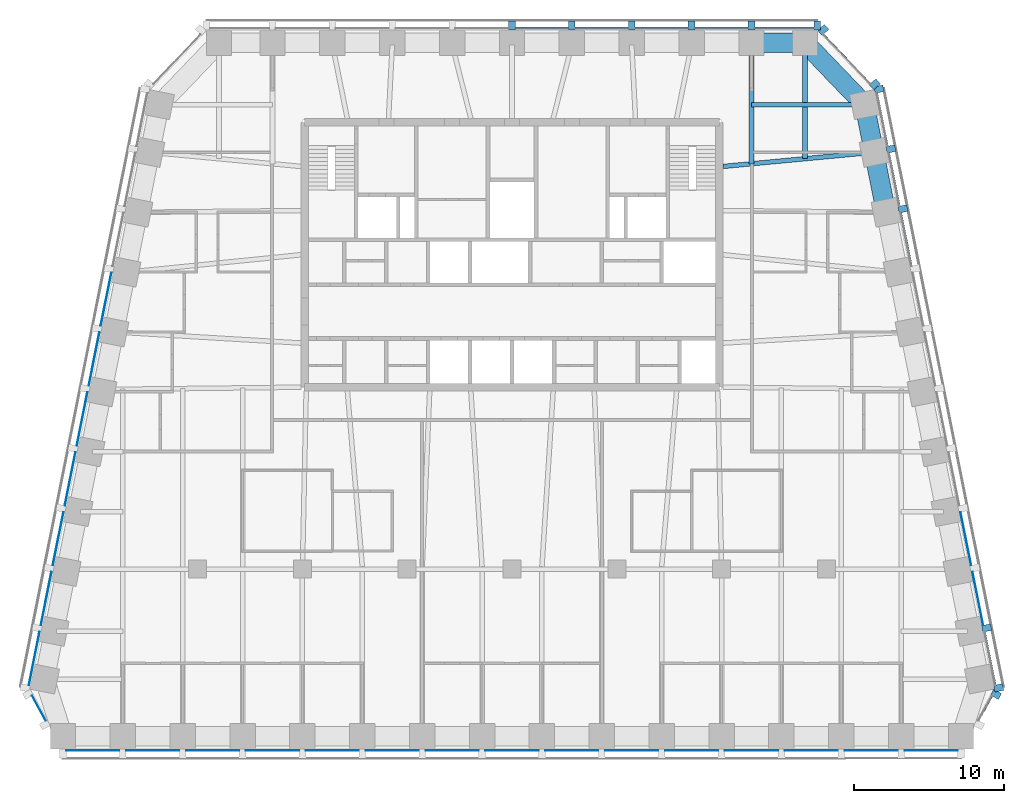
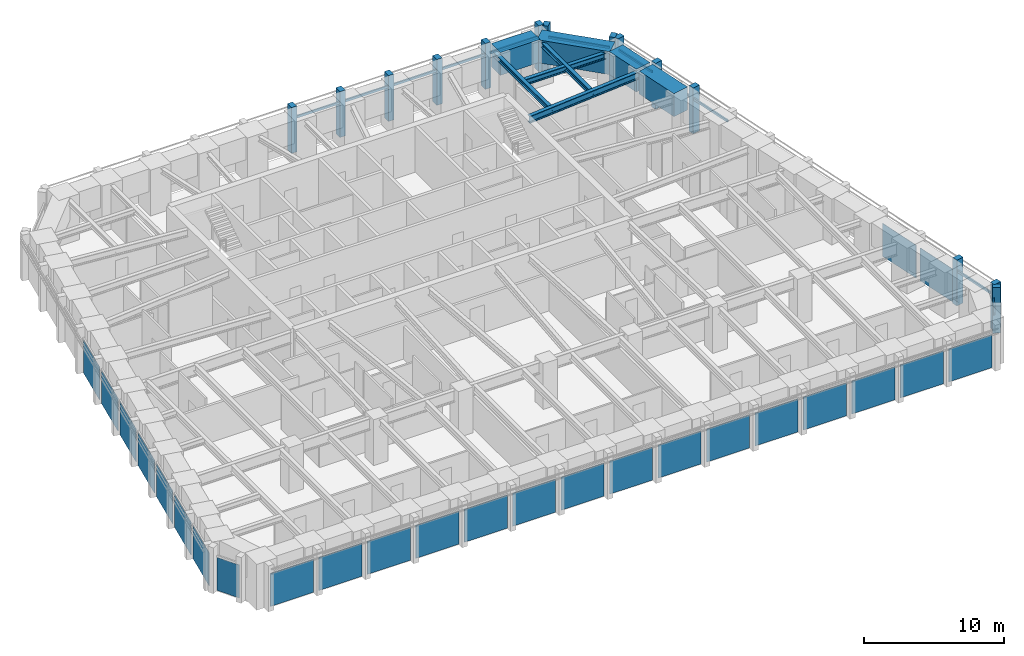
# One storey, part 4 of 11: 25 members, 25 plates, 8 beams, 7 elements without a shape of their own.
"""IFC4 building model written with IfcOpenShell, lengths in metres."""

from ifc_helpers import new_model, si_unit, direction, frame, origin, origin_2d, place, context, subcontext, project, spatial, rectangle, i_section, extrude, material, layer, layer_set, material_profile, profile_set, type_object, element, aggregate, save


model = new_model("IFC4")

# Units and contexts
model_context = context("Model", 3, precision=1e-05, world=origin(), true_north=direction((0.0, 1.0)))
body_context = subcontext(model_context, "Body", "Model", "MODEL_VIEW")
ifc_project = project(units=[si_unit("LENGTHUNIT", "METRE"), si_unit("AREAUNIT", "SQUARE_METRE"), si_unit("VOLUMEUNIT", "CUBIC_METRE"), si_unit("PLANEANGLEUNIT", "RADIAN"), si_unit("MASSUNIT", "GRAM", prefix="KILO")], contexts=[model_context])

# Site, building, storey
site_placement = place(None, origin())
site = spatial("IfcSite", under=ifc_project, at=site_placement, CompositionType="ELEMENT")
building_placement = place(site_placement, origin())
building = spatial("IfcBuilding", under=site, at=building_placement, Name="Isbrekke Arena Tower", CompositionType="ELEMENT")
storey_placement = place(building_placement, frame((0.0, 0.0, 248.0)))
storey = spatial("IfcBuildingStorey", under=building, at=storey_placement, Name="L57", CompositionType="ELEMENT", Elevation=248.0)

# Beams
ifc_material_1 = material(Name="Steel S355", Category="steel")
ifc_material_profile_1 = material_profile(ifc_material_1, i_section(OverallWidth=0.304931640625, OverallDepth=0.6201171875, WebThickness=0.02099609375, FlangeThickness=0.0400390625, FilletRadius=0.027099609375, at=origin_2d()), Name="HEM 600")
ifc_profile_set_1 = profile_set([ifc_material_profile_1], Name="Steel S355")
beam_type_1 = type_object("IfcBeamType", Name="B4 HEM 600", PredefinedType="BEAM", material=ifc_profile_set_1)
beam_1_placement = place(storey_placement, frame((24.02685546875, 21.8369140625, 3.5400390625), z_axis=(-0.995574576627, -0.093974796485, 0.0), x_axis=(0.093974796485, -0.995574576627, 0.0)))
element("IfcBeam", 1, at=beam_1_placement, inside=storey, type_object=beam_type_1, Name="B4 beam E-E10 L57", PredefinedType="BEAM", context=body_context, shape_type="SweptSolid", body=[
    extrude(i_section(OverallWidth=0.304931640625, OverallDepth=0.6201171875, WebThickness=0.02099609375, FlangeThickness=0.0400390625, FilletRadius=0.027099609375, at=origin_2d()), origin(), (0.0, 0.0, 1.0), 9.970947265625),
])
ifc_material_2 = material(Name="Steel S355", Category="steel")
ifc_material_profile_2 = material_profile(ifc_material_2, i_section(OverallWidth=0.305908203125, OverallDepth=0.52392578125, WebThickness=0.02099609375, FlangeThickness=0.0400390625, FilletRadius=0.027099609375, at=origin_2d()), Name="HEM 500")
ifc_profile_set_2 = profile_set([ifc_material_profile_2], Name="Steel S355")
beam_type_2 = type_object("IfcBeamType", Name="B5 HEM 500", PredefinedType="BEAM", material=ifc_profile_set_2)
beam_2_placement = place(storey_placement, frame((23.40283203125, 25.029296875, 3.587890625), z_axis=(-1.0, 0.0, 0.0), x_axis=(0.0, -1.0, 0.0)))
element("IfcBeam", 2, at=beam_2_placement, inside=storey, type_object=beam_type_2, Name="B5 beam E-E11 L57", PredefinedType="BEAM", context=body_context, shape_type="SweptSolid", body=[
    extrude(i_section(OverallWidth=0.305908203125, OverallDepth=0.52392578125, WebThickness=0.02099609375, FlangeThickness=0.0400390625, FilletRadius=0.027099609375, at=origin_2d()), origin(), (0.0, 0.0, 1.0), 7.40283203125),
])
ifc_material_3 = material(Name="Steel S355", Category="steel")
ifc_material_profile_3 = material_profile(ifc_material_3, i_section(OverallWidth=0.306884765625, OverallDepth=0.431884765625, WebThickness=0.02099609375, FlangeThickness=0.0400390625, FilletRadius=0.027099609375, at=origin_2d()), Name="HEM 400")
ifc_profile_set_3 = profile_set([ifc_material_profile_3], Name="Steel S355")
beam_type_3 = type_object("IfcBeamType", Name="B6 HEM 400", PredefinedType="BEAM", material=ifc_profile_set_3)
beam_3_placement = place(storey_placement, frame((19.574951171875, 29.02490234375, 3.634033203125), z_axis=(0.0, -1.0, 0.0), x_axis=(1.0, 0.0, 0.0)))
element("IfcBeam", 3, at=beam_3_placement, inside=storey, type_object=beam_type_3, Name="B6 beam N-N01 L57", PredefinedType="BEAM", context=body_context, shape_type="SweptSolid", body=[
    extrude(i_section(OverallWidth=0.306884765625, OverallDepth=0.431884765625, WebThickness=0.02099609375, FlangeThickness=0.0400390625, FilletRadius=0.027099609375, at=origin_2d()), origin(), (0.0, 0.0, 1.0), 7.608154296875),
])
beam_4_placement = place(storey_placement, frame((16.0, 29.02490234375, 3.634033203125), z_axis=(0.0, -1.0, 0.0), x_axis=(1.0, 0.0, 0.0)))
element("IfcBeam", 4, at=beam_4_placement, inside=storey, type_object=beam_type_3, Name="B6 beam N-N02 L57", PredefinedType="BEAM", context=body_context, shape_type="SweptSolid", body=[
    extrude(i_section(OverallWidth=0.306884765625, OverallDepth=0.431884765625, WebThickness=0.02099609375, FlangeThickness=0.0400390625, FilletRadius=0.027099609375, at=origin_2d()), origin(), (0.0, 0.0, 1.0), 7.945556640625),
])

# Curtain wall, member
ifc_material_4 = material(Name="Glazed aluminium curtain wall", Category="aluminium")
curtain_wall_type = type_object("IfcCurtainWallType", Name="CWT TOWER CURTAIN WALL TOP ZONE", PredefinedType="USERDEFINED", material=ifc_material_4)
curtain_wall_1_placement = place(storey_placement, origin())
curtain_wall_1 = element("IfcCurtainWall", 5, at=curtain_wall_1_placement, inside=storey, type_object=curtain_wall_type, Name="CWT curtain wall L57-SE", ObjectType="TOWER CURTAIN WALL TOP ZONE", PredefinedType="USERDEFINED")
ifc_material_5 = material(Name="Copper-clad aluminium mullion", Category="aluminium")
ifc_material_profile_4 = material_profile(ifc_material_5, rectangle(XDim=0.449951171875, YDim=0.60009765625, at=origin_2d()), Name="PIER 450X600")
ifc_profile_set_4 = profile_set([ifc_material_profile_4], Name="Copper-clad aluminium mullion")
member_type_1 = type_object("IfcMemberType", Name="CWT-M PIER MULLION 450 x 600", PredefinedType="MULLION", material=ifc_profile_set_4)
member_1_placement = place(storey_placement, frame((32.340087890625, -14.367919921875, 0.0), z_axis=(0.0, 0.0, 1.0), x_axis=(0.481918749773, 0.876215908676, 0.0)))
member_1 = element("IfcMember", 6, at=member_1_placement, type_object=member_type_1, Name="CWT-M mullion 2", PredefinedType="MULLION", context=body_context, shape_type="SweptSolid", body=[
    extrude(rectangle(XDim=0.449951171875, YDim=0.60009765625, at=origin_2d()), origin(), (0.0, 0.0, 1.0), 4.0),
])

# Curtain wall, members
curtain_wall_2_placement = place(storey_placement, origin())
curtain_wall_2 = element("IfcCurtainWall", 7, at=curtain_wall_2_placement, inside=storey, type_object=curtain_wall_type, Name="CWT curtain wall L57-E", ObjectType="TOWER CURTAIN WALL TOP ZONE", PredefinedType="USERDEFINED")
member_2_placement = place(storey_placement, frame((32.518798828125, -13.936279296875, 0.0), z_axis=(0.0, 0.0, 1.0), x_axis=(-0.196116135138, 0.980580675691, 0.0)))
member_2 = element("IfcMember", 8, at=member_2_placement, type_object=member_type_1, Name="CWT-M mullion 1", PredefinedType="MULLION", context=body_context, shape_type="SweptSolid", body=[
    extrude(rectangle(XDim=0.449951171875, YDim=0.60009765625, at=origin_2d()), origin(), (0.0, 0.0, 1.0), 4.0),
])
member_3_placement = place(storey_placement, frame((31.71875, -9.936279296875, 0.0), z_axis=(0.0, 0.0, 1.0), x_axis=(-0.196116135138, 0.980580675691, 0.0)))
member_3 = element("IfcMember", 9, at=member_3_placement, type_object=member_type_1, Name="CWT-M mullion 2", PredefinedType="MULLION", context=body_context, shape_type="SweptSolid", body=[
    extrude(rectangle(XDim=0.449951171875, YDim=0.60009765625, at=origin_2d()), origin(), (0.0, 0.0, 1.0), 4.0),
])
member_4_placement = place(storey_placement, frame((26.11865234375, 18.063720703125, 0.0), z_axis=(0.0, 0.0, 1.0), x_axis=(-0.196116135138, 0.980580675691, 0.0)))
member_4 = element("IfcMember", 10, at=member_4_placement, type_object=member_type_1, Name="CWT-M mullion 9", PredefinedType="MULLION", context=body_context, shape_type="SweptSolid", body=[
    extrude(rectangle(XDim=0.449951171875, YDim=0.60009765625, at=origin_2d()), origin(), (0.0, 0.0, 1.0), 4.0),
])
member_5_placement = place(storey_placement, frame((25.318603515625, 22.063720703125, 0.0), z_axis=(0.0, 0.0, 1.0), x_axis=(-0.196116135138, 0.980580675691, 0.0)))
member_5 = element("IfcMember", 11, at=member_5_placement, type_object=member_type_1, Name="CWT-M mullion 10", PredefinedType="MULLION", context=body_context, shape_type="SweptSolid", body=[
    extrude(rectangle(XDim=0.449951171875, YDim=0.60009765625, at=origin_2d()), origin(), (0.0, 0.0, 1.0), 4.0),
])
member_6_placement = place(storey_placement, frame((24.518798828125, 26.063720703125, 0.0), z_axis=(0.0, 0.0, 1.0), x_axis=(-0.196116135138, 0.980580675691, 0.0)))
member_6 = element("IfcMember", 12, at=member_6_placement, type_object=member_type_1, Name="CWT-M mullion 11", PredefinedType="MULLION", context=body_context, shape_type="SweptSolid", body=[
    extrude(rectangle(XDim=0.449951171875, YDim=0.60009765625, at=origin_2d()), origin(), (0.0, 0.0, 1.0), 4.0),
])

curtain_wall_3_placement = place(storey_placement, origin())
curtain_wall_3 = element("IfcCurtainWall", 13, at=curtain_wall_3_placement, inside=storey, type_object=curtain_wall_type, Name="CWT curtain wall L57-EN", ObjectType="TOWER CURTAIN WALL TOP ZONE", PredefinedType="USERDEFINED")
member_7_placement = place(storey_placement, frame((24.244384765625, 26.388671875, 0.0), z_axis=(0.0, 0.0, 1.0), x_axis=(-0.68874946192, 0.72499943359, 0.0)))
member_7 = element("IfcMember", 14, at=member_7_placement, type_object=member_type_1, Name="CWT-M mullion 1", PredefinedType="MULLION", context=body_context, shape_type="SweptSolid", body=[
    extrude(rectangle(XDim=0.449951171875, YDim=0.60009765625, at=origin_2d()), origin(), (0.0, 0.0, 1.0), 4.0),
])
member_8_placement = place(storey_placement, frame((20.795166015625, 30.019775390625, 0.0), z_axis=(0.0, 0.0, 1.0), x_axis=(-0.68874946192, 0.72499943359, 0.0)))
member_8 = element("IfcMember", 15, at=member_8_placement, type_object=member_type_1, Name="CWT-M mullion 2", PredefinedType="MULLION", context=body_context, shape_type="SweptSolid", body=[
    extrude(rectangle(XDim=0.449951171875, YDim=0.60009765625, at=origin_2d()), origin(), (0.0, 0.0, 1.0), 4.0),
])

curtain_wall_4_placement = place(storey_placement, origin())
curtain_wall_4 = element("IfcCurtainWall", 16, at=curtain_wall_4_placement, inside=storey, type_object=curtain_wall_type, Name="CWT curtain wall L57-N", ObjectType="TOWER CURTAIN WALL TOP ZONE", PredefinedType="USERDEFINED")
member_9_placement = place(storey_placement, frame((20.39990234375, 30.324951171875, 0.0), z_axis=(0.0, 0.0, 1.0), x_axis=(-1.0, 0.0, 0.0)))
member_9 = element("IfcMember", 17, at=member_9_placement, type_object=member_type_1, Name="CWT-M mullion 1", PredefinedType="MULLION", context=body_context, shape_type="SweptSolid", body=[
    extrude(rectangle(XDim=0.449951171875, YDim=0.60009765625, at=origin_2d()), origin(), (0.0, 0.0, 1.0), 4.0),
])
member_10_placement = place(storey_placement, frame((16.0, 30.324951171875, 0.0), z_axis=(0.0, 0.0, 1.0), x_axis=(-1.0, 0.0, 0.0)))
member_10 = element("IfcMember", 18, at=member_10_placement, type_object=member_type_1, Name="CWT-M mullion 2", PredefinedType="MULLION", context=body_context, shape_type="SweptSolid", body=[
    extrude(rectangle(XDim=0.449951171875, YDim=0.60009765625, at=origin_2d()), origin(), (0.0, 0.0, 1.0), 4.0),
])
member_11_placement = place(storey_placement, frame((12.0, 30.324951171875, 0.0), z_axis=(0.0, 0.0, 1.0), x_axis=(-1.0, 0.0, 0.0)))
member_11 = element("IfcMember", 19, at=member_11_placement, type_object=member_type_1, Name="CWT-M mullion 3", PredefinedType="MULLION", context=body_context, shape_type="SweptSolid", body=[
    extrude(rectangle(XDim=0.449951171875, YDim=0.60009765625, at=origin_2d()), origin(), (0.0, 0.0, 1.0), 4.0),
])
member_12_placement = place(storey_placement, frame((8.0, 30.324951171875, 0.0), z_axis=(0.0, 0.0, 1.0), x_axis=(-1.0, 0.0, 0.0)))
member_12 = element("IfcMember", 20, at=member_12_placement, type_object=member_type_1, Name="CWT-M mullion 4", PredefinedType="MULLION", context=body_context, shape_type="SweptSolid", body=[
    extrude(rectangle(XDim=0.449951171875, YDim=0.60009765625, at=origin_2d()), origin(), (0.0, 0.0, 1.0), 4.0),
])
member_13_placement = place(storey_placement, frame((4.0, 30.324951171875, 0.0), z_axis=(0.0, 0.0, 1.0), x_axis=(-1.0, 0.0, 0.0)))
member_13 = element("IfcMember", 21, at=member_13_placement, type_object=member_type_1, Name="CWT-M mullion 5", PredefinedType="MULLION", context=body_context, shape_type="SweptSolid", body=[
    extrude(rectangle(XDim=0.449951171875, YDim=0.60009765625, at=origin_2d()), origin(), (0.0, 0.0, 1.0), 4.0),
])
member_14_placement = place(storey_placement, frame((0.0, 30.324951171875, 0.0), z_axis=(0.0, 0.0, 1.0), x_axis=(-1.0, 0.0, 0.0)))
member_14 = element("IfcMember", 22, at=member_14_placement, type_object=member_type_1, Name="CWT-M mullion 6", PredefinedType="MULLION", context=body_context, shape_type="SweptSolid", body=[
    extrude(rectangle(XDim=0.449951171875, YDim=0.60009765625, at=origin_2d()), origin(), (0.0, 0.0, 1.0), 4.0),
])

# Member
ifc_material_6 = material(Name="Aluminium transom", Category="aluminium")
ifc_material_profile_5 = material_profile(ifc_material_6, rectangle(XDim=0.1201171875, YDim=0.199951171875, at=origin_2d()), Name="TRANSOM 120X200")
ifc_profile_set_5 = profile_set([ifc_material_profile_5], Name="Aluminium transom")
member_type_2 = type_object("IfcMemberType", Name="CWT-T TRANSOM 120 x 200", PredefinedType="USERDEFINED", material=ifc_profile_set_5)
member_15_placement = place(storey_placement, frame((31.152099609375, -16.112548828125, 3.0), z_axis=(0.482003669577, 0.876169197424, 0.0), x_axis=(-0.876169197424, 0.482003669577, 0.0)))
member_15 = element("IfcMember", 23, at=member_15_placement, type_object=member_type_2, Name="CWT-T transom 1", ObjectType="TRANSOM", PredefinedType="USERDEFINED", context=body_context, shape_type="SweptSolid", body=[
    extrude(rectangle(XDim=0.1201171875, YDim=0.199951171875, at=origin_2d()), origin(), (0.0, 0.0, 1.0), 1.876220703125),
])

aggregate(curtain_wall_1, [member_1, member_15])

member_16_placement = place(storey_placement, frame((32.278564453125, -13.7548828125, 3.0), z_axis=(-0.196154943734, 0.980572913173, 0.0), x_axis=(-0.980572913173, -0.196154943734, 0.0)))
member_16 = element("IfcMember", 24, at=member_16_placement, type_object=member_type_2, Name="CWT-T transom 1", ObjectType="TRANSOM", PredefinedType="USERDEFINED", context=body_context, shape_type="SweptSolid", body=[
    extrude(rectangle(XDim=0.1201171875, YDim=0.199951171875, at=origin_2d()), origin(), (0.0, 0.0, 1.0), 3.62939453125),
])

member_17_placement = place(storey_placement, frame((26.678466796875, 14.2451171875, 3.0), z_axis=(-0.196090262229, 0.980585849918, 0.0), x_axis=(-0.980585849918, -0.196090262229, 0.0)))
member_17 = element("IfcMember", 25, at=member_17_placement, type_object=member_type_2, Name="CWT-T transom 8", ObjectType="TRANSOM", PredefinedType="USERDEFINED", context=body_context, shape_type="SweptSolid", body=[
    extrude(rectangle(XDim=0.1201171875, YDim=0.199951171875, at=origin_2d()), origin(), (0.0, 0.0, 1.0), 3.62939453125),
])

member_18_placement = place(storey_placement, frame((25.87841796875, 18.2451171875, 3.0), z_axis=(-0.196090262229, 0.980585849918, 0.0), x_axis=(-0.980585849918, -0.196090262229, 0.0)))
member_18 = element("IfcMember", 26, at=member_18_placement, type_object=member_type_2, Name="CWT-T transom 9", ObjectType="TRANSOM", PredefinedType="USERDEFINED", context=body_context, shape_type="SweptSolid", body=[
    extrude(rectangle(XDim=0.1201171875, YDim=0.199951171875, at=origin_2d()), origin(), (0.0, 0.0, 1.0), 3.62939453125),
])

member_19_placement = place(storey_placement, frame((25.078369140625, 22.2451171875, 3.0), z_axis=(-0.196090262229, 0.980585849918, 0.0), x_axis=(-0.980585849918, -0.196090262229, 0.0)))
member_19 = element("IfcMember", 27, at=member_19_placement, type_object=member_type_2, Name="CWT-T transom 10", ObjectType="TRANSOM", PredefinedType="USERDEFINED", context=body_context, shape_type="SweptSolid", body=[
    extrude(rectangle(XDim=0.1201171875, YDim=0.199951171875, at=origin_2d()), origin(), (0.0, 0.0, 1.0), 3.62939453125),
])

member_20_placement = place(storey_placement, frame((23.944580078125, 26.4140625, 3.0), z_axis=(-0.688771983213, 0.724978037696, 0.0), x_axis=(-0.724978037696, -0.688771983213, 0.0)))
member_20 = element("IfcMember", 28, at=member_20_placement, type_object=member_type_2, Name="CWT-T transom 1", ObjectType="TRANSOM", PredefinedType="USERDEFINED", context=body_context, shape_type="SweptSolid", body=[
    extrude(rectangle(XDim=0.1201171875, YDim=0.199951171875, at=origin_2d()), origin(), (0.0, 0.0, 1.0), 4.558349609375),
])

aggregate(curtain_wall_3, [member_7, member_8, member_20])

member_21_placement = place(storey_placement, frame((20.175048828125, 30.125, 3.0), z_axis=(-1.0, 0.0, 0.0), x_axis=(0.0, -1.0, 0.0)))
member_21 = element("IfcMember", 29, at=member_21_placement, type_object=member_type_2, Name="CWT-T transom 1", ObjectType="TRANSOM", PredefinedType="USERDEFINED", context=body_context, shape_type="SweptSolid", body=[
    extrude(rectangle(XDim=0.1201171875, YDim=0.199951171875, at=origin_2d()), origin(), (0.0, 0.0, 1.0), 3.949951171875),
])

member_22_placement = place(storey_placement, frame((15.77490234375, 30.125, 3.0), z_axis=(-1.0, 0.0, 0.0), x_axis=(0.0, -1.0, 0.0)))
member_22 = element("IfcMember", 30, at=member_22_placement, type_object=member_type_2, Name="CWT-T transom 2", ObjectType="TRANSOM", PredefinedType="USERDEFINED", context=body_context, shape_type="SweptSolid", body=[
    extrude(rectangle(XDim=0.1201171875, YDim=0.199951171875, at=origin_2d()), origin(), (0.0, 0.0, 1.0), 3.5498046875),
])

member_23_placement = place(storey_placement, frame((11.77490234375, 30.125, 3.0), z_axis=(-1.0, 0.0, 0.0), x_axis=(0.0, -1.0, 0.0)))
member_23 = element("IfcMember", 31, at=member_23_placement, type_object=member_type_2, Name="CWT-T transom 3", ObjectType="TRANSOM", PredefinedType="USERDEFINED", context=body_context, shape_type="SweptSolid", body=[
    extrude(rectangle(XDim=0.1201171875, YDim=0.199951171875, at=origin_2d()), origin(), (0.0, 0.0, 1.0), 3.5498046875),
])

member_24_placement = place(storey_placement, frame((7.77490234375, 30.125, 3.0), z_axis=(-1.0, 0.0, 0.0), x_axis=(0.0, -1.0, 0.0)))
member_24 = element("IfcMember", 32, at=member_24_placement, type_object=member_type_2, Name="CWT-T transom 4", ObjectType="TRANSOM", PredefinedType="USERDEFINED", context=body_context, shape_type="SweptSolid", body=[
    extrude(rectangle(XDim=0.1201171875, YDim=0.199951171875, at=origin_2d()), origin(), (0.0, 0.0, 1.0), 3.5498046875),
])

member_25_placement = place(storey_placement, frame((3.77490234375, 30.125, 3.0), z_axis=(-1.0, 0.0, 0.0), x_axis=(0.0, -1.0, 0.0)))
member_25 = element("IfcMember", 33, at=member_25_placement, type_object=member_type_2, Name="CWT-T transom 5", ObjectType="TRANSOM", PredefinedType="USERDEFINED", context=body_context, shape_type="SweptSolid", body=[
    extrude(rectangle(XDim=0.1201171875, YDim=0.199951171875, at=origin_2d()), origin(), (0.0, 0.0, 1.0), 3.5498046875),
])

aggregate(curtain_wall_4, [member_9, member_10, member_11, member_12, member_13, member_14, member_21, member_22, member_23, member_24, member_25])

# Beams
ifc_material_7 = material(Name="Concrete B55 (C55/67)", Category="concrete")
ifc_material_profile_6 = material_profile(ifc_material_7, rectangle(XDim=1.300048828125, YDim=2.0, at=origin_2d()), Name="RC 1300x2000")
ifc_profile_set_6 = profile_set([ifc_material_profile_6], Name="Concrete B55 (C55/67)")
beam_type_4 = type_object("IfcBeamType", Name="SB4 RC 1300 x 2000", PredefinedType="SPANDREL", material=ifc_profile_set_6)
beam_5_placement = place(storey_placement, frame((24.961669921875, 17.9853515625, 3.0), z_axis=(-0.196128558387, 0.980578190959, 0.0), x_axis=(-0.980578190959, -0.196128558387, 0.0)))
element("IfcBeam", 34, at=beam_5_placement, inside=storey, type_object=beam_type_4, Name="SB4 spandrel E09-E10 L57", PredefinedType="SPANDREL", context=body_context, shape_type="SweptSolid", body=[
    extrude(rectangle(XDim=1.300048828125, YDim=2.0, at=origin_2d()), origin(), (0.0, 0.0, 1.0), 3.779296875),
])
beam_6_placement = place(storey_placement, frame((24.16162109375, 21.9853515625, 3.0), z_axis=(-0.196116135138, 0.980580675691, 0.0), x_axis=(-0.980580675691, -0.196116135138, 0.0)))
element("IfcBeam", 35, at=beam_6_placement, inside=storey, type_object=beam_type_4, Name="SB4 spandrel E10-E11 L57", PredefinedType="SPANDREL", context=body_context, shape_type="SweptSolid", body=[
    extrude(rectangle(XDim=1.300048828125, YDim=2.0, at=origin_2d()), origin(), (0.0, 0.0, 1.0), 2.9541015625),
])
beam_7_placement = place(storey_placement, frame((23.448974609375, 25.137451171875, 3.0), z_axis=(-0.692339547635, 0.721571861134, 0.0), x_axis=(-0.721571861134, -0.692339547635, 0.0)))
element("IfcBeam", 36, at=beam_7_placement, inside=storey, type_object=beam_type_4, Name="SB4 spandrel E11-N01 L57", PredefinedType="SPANDREL", context=body_context, shape_type="SweptSolid", body=[
    extrude(rectangle(XDim=1.300048828125, YDim=2.0, at=origin_2d()), origin(), (0.0, 0.0, 1.0), 5.4453125),
])
beam_8_placement = place(storey_placement, frame((19.425048828125, 29.175048828125, 3.0), z_axis=(-1.0, 0.0, 0.0), x_axis=(0.0, -1.0, 0.0)))
element("IfcBeam", 37, at=beam_8_placement, inside=storey, type_object=beam_type_4, Name="SB4 spandrel N01-N02 L57", PredefinedType="SPANDREL", context=body_context, shape_type="SweptSolid", body=[
    extrude(rectangle(XDim=1.300048828125, YDim=2.0, at=origin_2d()), origin(), (0.0, 0.0, 1.0), 3.275146484375),
])

# Curtain wall, plates
curtain_wall_5_placement = place(storey_placement, origin())
curtain_wall_5 = element("IfcCurtainWall", 38, at=curtain_wall_5_placement, inside=storey, type_object=curtain_wall_type, Name="CWT curtain wall L57-S", ObjectType="TOWER CURTAIN WALL TOP ZONE", PredefinedType="USERDEFINED")
ifc_material_8 = material(Name="Triple-glazed clear glass unit", Category="glass")
ifc_layer = layer(ifc_material_8, 0.031982421875)
ifc_layer_set = layer_set([ifc_layer], Name="CWT-P VISION PANEL")
plate_type = type_object("IfcPlateType", Name="CWT-P VISION PANEL", PredefinedType="CURTAIN_PANEL", material=ifc_layer_set)
plate_1_placement = place(storey_placement, frame((-28.0, -18.125, 0.02001953125), z_axis=(0.0, 0.0, 1.0), x_axis=(1.0, 0.0, 0.0)))
plate_1 = element("IfcPlate", 39, at=plate_1_placement, type_object=plate_type, Name="CWT-P panel 1", PredefinedType="CURTAIN_PANEL", context=body_context, shape_type="SweptSolid", body=[
    extrude(rectangle(XDim=3.550048828125, YDim=0.031982421875, at=origin_2d()), origin(), (0.0, 0.0, 1.0), 2.8798828125),
])
plate_2_placement = place(storey_placement, frame((-24.0, -18.125, 0.02001953125), z_axis=(0.0, 0.0, 1.0), x_axis=(1.0, 0.0, 0.0)))
plate_2 = element("IfcPlate", 40, at=plate_2_placement, type_object=plate_type, Name="CWT-P panel 2", PredefinedType="CURTAIN_PANEL", context=body_context, shape_type="SweptSolid", body=[
    extrude(rectangle(XDim=3.550048828125, YDim=0.031982421875, at=origin_2d()), origin(), (0.0, 0.0, 1.0), 2.8798828125),
])
plate_3_placement = place(storey_placement, frame((-20.0, -18.125, 0.02001953125), z_axis=(0.0, 0.0, 1.0), x_axis=(1.0, 0.0, 0.0)))
plate_3 = element("IfcPlate", 41, at=plate_3_placement, type_object=plate_type, Name="CWT-P panel 3", PredefinedType="CURTAIN_PANEL", context=body_context, shape_type="SweptSolid", body=[
    extrude(rectangle(XDim=3.550048828125, YDim=0.031982421875, at=origin_2d()), origin(), (0.0, 0.0, 1.0), 2.8798828125),
])
plate_4_placement = place(storey_placement, frame((-16.0, -18.125, 0.02001953125), z_axis=(0.0, 0.0, 1.0), x_axis=(1.0, 0.0, 0.0)))
plate_4 = element("IfcPlate", 42, at=plate_4_placement, type_object=plate_type, Name="CWT-P panel 4", PredefinedType="CURTAIN_PANEL", context=body_context, shape_type="SweptSolid", body=[
    extrude(rectangle(XDim=3.550048828125, YDim=0.031982421875, at=origin_2d()), origin(), (0.0, 0.0, 1.0), 2.8798828125),
])
plate_5_placement = place(storey_placement, frame((-12.0, -18.125, 0.02001953125), z_axis=(0.0, 0.0, 1.0), x_axis=(1.0, 0.0, 0.0)))
plate_5 = element("IfcPlate", 43, at=plate_5_placement, type_object=plate_type, Name="CWT-P panel 5", PredefinedType="CURTAIN_PANEL", context=body_context, shape_type="SweptSolid", body=[
    extrude(rectangle(XDim=3.550048828125, YDim=0.031982421875, at=origin_2d()), origin(), (0.0, 0.0, 1.0), 2.8798828125),
])
plate_6_placement = place(storey_placement, frame((-8.0, -18.125, 0.02001953125), z_axis=(0.0, 0.0, 1.0), x_axis=(1.0, 0.0, 0.0)))
plate_6 = element("IfcPlate", 44, at=plate_6_placement, type_object=plate_type, Name="CWT-P panel 6", PredefinedType="CURTAIN_PANEL", context=body_context, shape_type="SweptSolid", body=[
    extrude(rectangle(XDim=3.550048828125, YDim=0.031982421875, at=origin_2d()), origin(), (0.0, 0.0, 1.0), 2.8798828125),
])
plate_7_placement = place(storey_placement, frame((-4.0, -18.125, 0.02001953125), z_axis=(0.0, 0.0, 1.0), x_axis=(1.0, 0.0, 0.0)))
plate_7 = element("IfcPlate", 45, at=plate_7_placement, type_object=plate_type, Name="CWT-P panel 7", PredefinedType="CURTAIN_PANEL", context=body_context, shape_type="SweptSolid", body=[
    extrude(rectangle(XDim=3.550048828125, YDim=0.031982421875, at=origin_2d()), origin(), (0.0, 0.0, 1.0), 2.8798828125),
])
plate_8_placement = place(storey_placement, frame((0.0, -18.125, 0.02001953125), z_axis=(0.0, 0.0, 1.0), x_axis=(1.0, 0.0, 0.0)))
plate_8 = element("IfcPlate", 46, at=plate_8_placement, type_object=plate_type, Name="CWT-P panel 8", PredefinedType="CURTAIN_PANEL", context=body_context, shape_type="SweptSolid", body=[
    extrude(rectangle(XDim=3.550048828125, YDim=0.031982421875, at=origin_2d()), origin(), (0.0, 0.0, 1.0), 2.8798828125),
])
plate_9_placement = place(storey_placement, frame((4.0, -18.125, 0.02001953125), z_axis=(0.0, 0.0, 1.0), x_axis=(1.0, 0.0, 0.0)))
plate_9 = element("IfcPlate", 47, at=plate_9_placement, type_object=plate_type, Name="CWT-P panel 9", PredefinedType="CURTAIN_PANEL", context=body_context, shape_type="SweptSolid", body=[
    extrude(rectangle(XDim=3.550048828125, YDim=0.031982421875, at=origin_2d()), origin(), (0.0, 0.0, 1.0), 2.8798828125),
])
plate_10_placement = place(storey_placement, frame((8.0, -18.125, 0.02001953125), z_axis=(0.0, 0.0, 1.0), x_axis=(1.0, 0.0, 0.0)))
plate_10 = element("IfcPlate", 48, at=plate_10_placement, type_object=plate_type, Name="CWT-P panel 10", PredefinedType="CURTAIN_PANEL", context=body_context, shape_type="SweptSolid", body=[
    extrude(rectangle(XDim=3.550048828125, YDim=0.031982421875, at=origin_2d()), origin(), (0.0, 0.0, 1.0), 2.8798828125),
])
plate_11_placement = place(storey_placement, frame((12.0, -18.125, 0.02001953125), z_axis=(0.0, 0.0, 1.0), x_axis=(1.0, 0.0, 0.0)))
plate_11 = element("IfcPlate", 49, at=plate_11_placement, type_object=plate_type, Name="CWT-P panel 11", PredefinedType="CURTAIN_PANEL", context=body_context, shape_type="SweptSolid", body=[
    extrude(rectangle(XDim=3.550048828125, YDim=0.031982421875, at=origin_2d()), origin(), (0.0, 0.0, 1.0), 2.8798828125),
])
plate_12_placement = place(storey_placement, frame((16.0, -18.125, 0.02001953125), z_axis=(0.0, 0.0, 1.0), x_axis=(1.0, 0.0, 0.0)))
plate_12 = element("IfcPlate", 50, at=plate_12_placement, type_object=plate_type, Name="CWT-P panel 12", PredefinedType="CURTAIN_PANEL", context=body_context, shape_type="SweptSolid", body=[
    extrude(rectangle(XDim=3.550048828125, YDim=0.031982421875, at=origin_2d()), origin(), (0.0, 0.0, 1.0), 2.8798828125),
])
plate_13_placement = place(storey_placement, frame((20.0, -18.125, 0.02001953125), z_axis=(0.0, 0.0, 1.0), x_axis=(1.0, 0.0, 0.0)))
plate_13 = element("IfcPlate", 51, at=plate_13_placement, type_object=plate_type, Name="CWT-P panel 13", PredefinedType="CURTAIN_PANEL", context=body_context, shape_type="SweptSolid", body=[
    extrude(rectangle(XDim=3.550048828125, YDim=0.031982421875, at=origin_2d()), origin(), (0.0, 0.0, 1.0), 2.8798828125),
])
plate_14_placement = place(storey_placement, frame((24.0, -18.125, 0.02001953125), z_axis=(0.0, 0.0, 1.0), x_axis=(1.0, 0.0, 0.0)))
plate_14 = element("IfcPlate", 52, at=plate_14_placement, type_object=plate_type, Name="CWT-P panel 14", PredefinedType="CURTAIN_PANEL", context=body_context, shape_type="SweptSolid", body=[
    extrude(rectangle(XDim=3.550048828125, YDim=0.031982421875, at=origin_2d()), origin(), (0.0, 0.0, 1.0), 2.8798828125),
])
plate_15_placement = place(storey_placement, frame((28.0, -18.125, 0.02001953125), z_axis=(0.0, 0.0, 1.0), x_axis=(1.0, 0.0, 0.0)))
plate_15 = element("IfcPlate", 53, at=plate_15_placement, type_object=plate_type, Name="CWT-P panel 15", PredefinedType="CURTAIN_PANEL", context=body_context, shape_type="SweptSolid", body=[
    extrude(rectangle(XDim=3.550048828125, YDim=0.031982421875, at=origin_2d()), origin(), (0.0, 0.0, 1.0), 2.8798828125),
])
aggregate(curtain_wall_5, [plate_1, plate_2, plate_3, plate_4, plate_5, plate_6, plate_7, plate_8, plate_9, plate_10, plate_11, plate_12, plate_13, plate_14, plate_15])

# Plate
plate_16_placement = place(storey_placement, frame((31.12255859375, -7.9755859375, 0.02001953125), z_axis=(0.0, 0.0, 1.0), x_axis=(-0.196116135138, 0.980580675691, 0.0)))
plate_16 = element("IfcPlate", 54, at=plate_16_placement, type_object=plate_type, Name="CWT-P panel 2", PredefinedType="CURTAIN_PANEL", context=body_context, shape_type="SweptSolid", body=[
    extrude(rectangle(XDim=3.629150390625, YDim=0.031982421875, at=origin_2d()), origin(), (0.0, 0.0, 1.0), 2.8798828125),
])

plate_17_placement = place(storey_placement, frame((30.322509765625, -3.9755859375, 0.02001953125), z_axis=(0.0, 0.0, 1.0), x_axis=(-0.196116135138, 0.980580675691, 0.0)))
plate_17 = element("IfcPlate", 55, at=plate_17_placement, type_object=plate_type, Name="CWT-P panel 3", PredefinedType="CURTAIN_PANEL", context=body_context, shape_type="SweptSolid", body=[
    extrude(rectangle(XDim=3.629150390625, YDim=0.031982421875, at=origin_2d()), origin(), (0.0, 0.0, 1.0), 2.8798828125),
])

aggregate(curtain_wall_2, [member_2, member_3, member_4, member_5, member_6, member_16, plate_16, plate_17, member_17, member_18, member_19])

# Curtain wall, plates
curtain_wall_6_placement = place(storey_placement, origin())
curtain_wall_6 = element("IfcCurtainWall", 56, at=curtain_wall_6_placement, inside=storey, type_object=curtain_wall_type, Name="CWT curtain wall L57-W", ObjectType="TOWER CURTAIN WALL TOP ZONE", PredefinedType="USERDEFINED")
plate_18_placement = place(storey_placement, frame((-27.12255859375, 12.0244140625, 0.02001953125), z_axis=(0.0, 0.0, 1.0), x_axis=(-0.196116135138, -0.980580675691, 0.0)))
plate_18 = element("IfcPlate", 57, at=plate_18_placement, type_object=plate_type, Name="CWT-P panel 4", PredefinedType="CURTAIN_PANEL", context=body_context, shape_type="SweptSolid", body=[
    extrude(rectangle(XDim=3.629150390625, YDim=0.031982421875, at=origin_2d()), origin(), (0.0, 0.0, 1.0), 2.8798828125),
])
plate_19_placement = place(storey_placement, frame((-27.922607421875, 8.0244140625, 0.02001953125), z_axis=(0.0, 0.0, 1.0), x_axis=(-0.196116135138, -0.980580675691, 0.0)))
plate_19 = element("IfcPlate", 58, at=plate_19_placement, type_object=plate_type, Name="CWT-P panel 5", PredefinedType="CURTAIN_PANEL", context=body_context, shape_type="SweptSolid", body=[
    extrude(rectangle(XDim=3.629150390625, YDim=0.031982421875, at=origin_2d()), origin(), (0.0, 0.0, 1.0), 2.8798828125),
])
plate_20_placement = place(storey_placement, frame((-28.72265625, 4.0244140625, 0.02001953125), z_axis=(0.0, 0.0, 1.0), x_axis=(-0.196116135138, -0.980580675691, 0.0)))
plate_20 = element("IfcPlate", 59, at=plate_20_placement, type_object=plate_type, Name="CWT-P panel 6", PredefinedType="CURTAIN_PANEL", context=body_context, shape_type="SweptSolid", body=[
    extrude(rectangle(XDim=3.629150390625, YDim=0.031982421875, at=origin_2d()), origin(), (0.0, 0.0, 1.0), 2.8798828125),
])
plate_21_placement = place(storey_placement, frame((-29.5224609375, 0.0244140625, 0.02001953125), z_axis=(0.0, 0.0, 1.0), x_axis=(-0.196116135138, -0.980580675691, 0.0)))
plate_21 = element("IfcPlate", 60, at=plate_21_placement, type_object=plate_type, Name="CWT-P panel 7", PredefinedType="CURTAIN_PANEL", context=body_context, shape_type="SweptSolid", body=[
    extrude(rectangle(XDim=3.629150390625, YDim=0.031982421875, at=origin_2d()), origin(), (0.0, 0.0, 1.0), 2.8798828125),
])
plate_22_placement = place(storey_placement, frame((-30.322509765625, -3.9755859375, 0.02001953125), z_axis=(0.0, 0.0, 1.0), x_axis=(-0.196116135138, -0.980580675691, 0.0)))
plate_22 = element("IfcPlate", 61, at=plate_22_placement, type_object=plate_type, Name="CWT-P panel 8", PredefinedType="CURTAIN_PANEL", context=body_context, shape_type="SweptSolid", body=[
    extrude(rectangle(XDim=3.629150390625, YDim=0.031982421875, at=origin_2d()), origin(), (0.0, 0.0, 1.0), 2.8798828125),
])
plate_23_placement = place(storey_placement, frame((-31.12255859375, -7.9755859375, 0.02001953125), z_axis=(0.0, 0.0, 1.0), x_axis=(-0.196116135138, -0.980580675691, 0.0)))
plate_23 = element("IfcPlate", 62, at=plate_23_placement, type_object=plate_type, Name="CWT-P panel 9", PredefinedType="CURTAIN_PANEL", context=body_context, shape_type="SweptSolid", body=[
    extrude(rectangle(XDim=3.629150390625, YDim=0.031982421875, at=origin_2d()), origin(), (0.0, 0.0, 1.0), 2.8798828125),
])
plate_24_placement = place(storey_placement, frame((-31.922607421875, -11.9755859375, 0.02001953125), z_axis=(0.0, 0.0, 1.0), x_axis=(-0.196116135138, -0.980580675691, 0.0)))
plate_24 = element("IfcPlate", 63, at=plate_24_placement, type_object=plate_type, Name="CWT-P panel 10", PredefinedType="CURTAIN_PANEL", context=body_context, shape_type="SweptSolid", body=[
    extrude(rectangle(XDim=3.629150390625, YDim=0.031982421875, at=origin_2d()), origin(), (0.0, 0.0, 1.0), 2.8798828125),
])
aggregate(curtain_wall_6, [plate_18, plate_19, plate_20, plate_21, plate_22, plate_23, plate_24])

# Curtain wall, plate
curtain_wall_7_placement = place(storey_placement, origin())
curtain_wall_7 = element("IfcCurtainWall", 64, at=curtain_wall_7_placement, inside=storey, type_object=curtain_wall_type, Name="CWT curtain wall L57-WS", ObjectType="TOWER CURTAIN WALL TOP ZONE", PredefinedType="USERDEFINED")
plate_25_placement = place(storey_placement, frame((-31.60400390625, -15.291015625, 0.02001953125), z_axis=(0.0, 0.0, 1.0), x_axis=(0.481918749773, -0.876215908676, 0.0)))
plate_25 = element("IfcPlate", 65, at=plate_25_placement, type_object=plate_type, Name="CWT-P panel 1", PredefinedType="CURTAIN_PANEL", context=body_context, shape_type="SweptSolid", body=[
    extrude(rectangle(XDim=1.878173828125, YDim=0.031982421875, at=origin_2d()), origin(), (0.0, 0.0, 1.0), 2.8798828125),
])
aggregate(curtain_wall_7, [plate_25])

save(model, "model.ifc")
